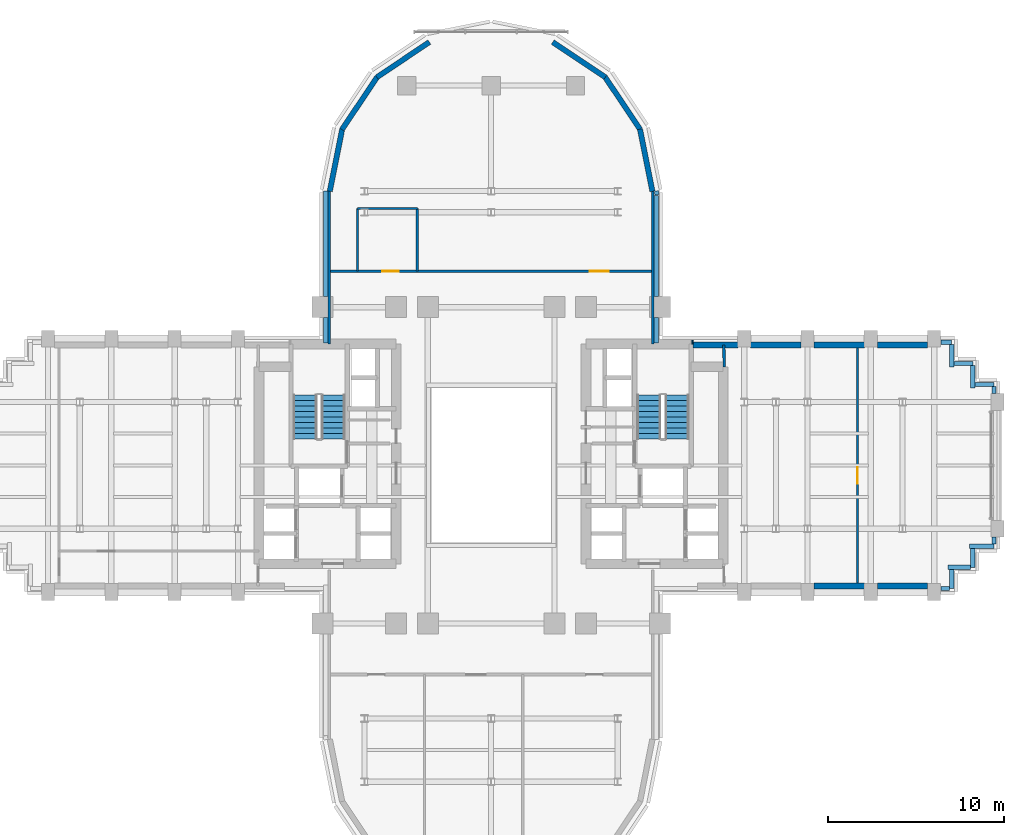
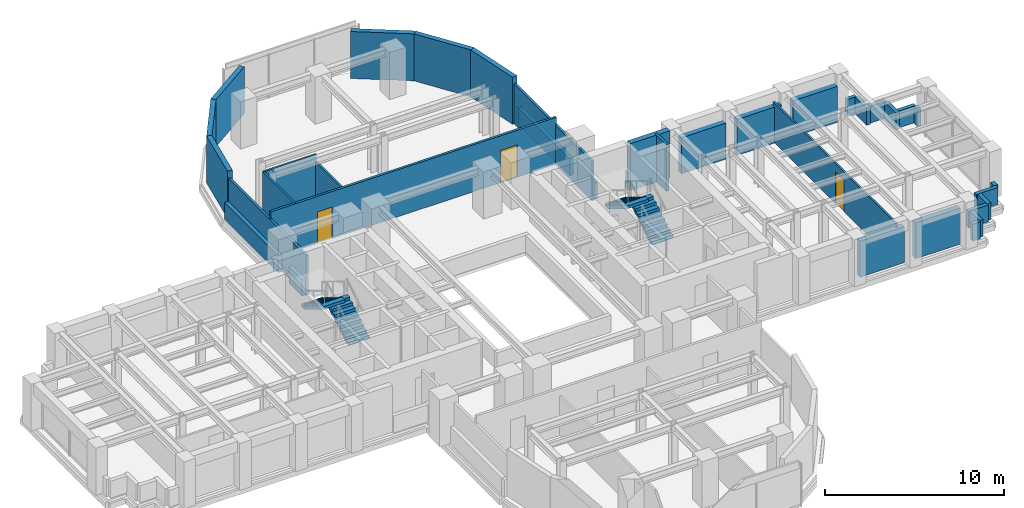
# One storey, part 12 of 16: 38 walls, 4 stair flights, 3 doors, 3 openings, 2 elements without a shape of their own.
"""IFC4 building model written with IfcOpenShell, lengths in metres."""

from ifc_helpers import new_model, si_unit, direction, frame, frame_2d, origin, place, context, subcontext, project, spatial, polyline, rectangle, outline, extrude, source, transform, mapped, material, layer, layer_set, type_object, element, fill, aggregate, save


model = new_model("IFC4")

# Units and contexts
model_context = context("Model", 3, precision=1e-05, world=origin(), true_north=direction((0.0, 1.0)))
body_context = subcontext(model_context, "Body", "Model", "MODEL_VIEW")
ifc_project = project(units=[si_unit("LENGTHUNIT", "METRE"), si_unit("AREAUNIT", "SQUARE_METRE"), si_unit("VOLUMEUNIT", "CUBIC_METRE"), si_unit("PLANEANGLEUNIT", "RADIAN"), si_unit("MASSUNIT", "GRAM", prefix="KILO")], contexts=[model_context])

# Site, building, storey
site_placement = place(None, origin())
site = spatial("IfcSite", under=ifc_project, at=site_placement, CompositionType="ELEMENT")
building_placement = place(site_placement, origin())
building = spatial("IfcBuilding", under=site, at=building_placement, Name="Keilestroom Media Tower", CompositionType="ELEMENT")
storey_placement = place(building_placement, frame((0.0, 0.0, 54.39990234375)))
storey = spatial("IfcBuildingStorey", under=building, at=storey_placement, Name="L13", CompositionType="ELEMENT", Elevation=54.39990234375)

# Walls
ifc_material_1 = material(Name="Precast concrete C40/50", Category="concrete")
ifc_layer_1 = layer(ifc_material_1, 0.300048828125)
ifc_layer_set_1 = layer_set([ifc_layer_1], Name="Precast concrete C40/50")
wall_type_1 = type_object("IfcWallType", Name="Exterior-Masonry-Spandrel-Wall-300", PredefinedType="SOLIDWALL", material=ifc_layer_set_1)
for number, where, z_axis, x_axis, name in (
    (1, (9.1748046875, 15.585205078125, 0.0), (0.0, 0.0, 1.0), (-0.195114232679, 0.980780523974, 0.0), "L13 Lobe Facet Precast Frame Wall 01"),
    (2, (8.48193359375, 19.097412109375, 0.0), (0.0, 0.0, 1.0), (-0.555574187116, 0.831466970246, 0.0), "L13 Lobe Facet Precast Frame Wall 02"),
):
    element("IfcWall", number, at=place(storey_placement, frame(where, z_axis=z_axis, x_axis=x_axis)), inside=storey, type_object=wall_type_1, Name=name, PredefinedType="SOLIDWALL", context=body_context, shape_type="SweptSolid", body=[
        extrude(rectangle(XDim=3.608642578125, YDim=0.300048828125, at=frame_2d((1.80419921875, 0.0))), origin(), (0.0, 0.0, 1.0), 3.2001953125),
    ])
for number, where, z_axis, x_axis, name in (
    (3, (6.497802734375, 22.0771484375, 0.0), (0.0, 0.0, 1.0), (-0.8314749531, 0.555562239868, 0.0), "L13 Lobe Facet Precast Frame Wall 03"),
    (4, (-3.510009765625, 24.073486328125, 0.0), (0.0, 0.0, 1.0), (-0.8314749531, -0.555562239868, 0.0), "L13 Lobe Facet Precast Frame Wall 04"),
):
    element("IfcWall", number, at=place(storey_placement, frame(where, z_axis=z_axis, x_axis=x_axis)), inside=storey, type_object=wall_type_1, Name=name, PredefinedType="SOLIDWALL", context=body_context, shape_type="SweptSolid", body=[
        extrude(rectangle(XDim=3.59326171875, YDim=0.300048828125, at=frame_2d((1.796630859375, 0.0))), origin(), (0.0, 0.0, 1.0), 3.2001953125),
    ])
for number, where, z_axis, x_axis, name in (
    (5, (-6.47705078125, 22.097900390625, 0.0), (0.0, 0.0, 1.0), (-0.555574187116, -0.831466970246, 0.0), "L13 Lobe Facet Precast Frame Wall 05"),
    (6, (-8.470703125, 19.12451171875, 0.0), (0.0, 0.0, 1.0), (-0.195114232679, -0.980780523974, 0.0), "L13 Lobe Facet Precast Frame Wall 06"),
):
    element("IfcWall", number, at=place(storey_placement, frame(where, z_axis=z_axis, x_axis=x_axis)), inside=storey, type_object=wall_type_1, Name=name, PredefinedType="SOLIDWALL", context=body_context, shape_type="SweptSolid", body=[
        extrude(rectangle(XDim=3.608642578125, YDim=0.300048828125, at=frame_2d((1.80419921875, 0.0))), origin(), (0.0, 0.0, 1.0), 3.2001953125),
    ])
ifc_layer_2 = layer(ifc_material_1, 0.340087890625)
ifc_layer_set_2 = layer_set([ifc_layer_2], Name="Precast concrete C40/50")
wall_type_2 = type_object("IfcWallType", Name="Exterior-Masonry-Spandrel-Wall-340", PredefinedType="SOLIDWALL", material=ifc_layer_set_2)
wall_1_placement = place(storey_placement, frame((11.498046875, 6.85009765625, 0.0), z_axis=(0.0, 0.0, 1.0), x_axis=(1.0, 0.0, 0.0)))
element("IfcWall", 7, at=wall_1_placement, inside=storey, type_object=wall_type_2, Name="L13 Flank Masonry Wall EWL-L13-NE-1", PredefinedType="SOLIDWALL", context=body_context, shape_type="SweptSolid", body=[
    extrude(rectangle(XDim=2.534912109375, YDim=0.340087890625, at=frame_2d((1.267578125, 0.0))), origin(), (0.0, 0.0, 1.0), 3.2001953125),
])
for number, where, z_axis, x_axis, name in (
    (8, (14.76708984375, 6.85009765625, 0.0), (0.0, 0.0, 1.0), (1.0, 0.0, 0.0), "L13 Flank Masonry Wall EWL-L13-NE-2"),
    (9, (18.366943359375, 6.85009765625, 0.0), (0.0, 0.0, 1.0), (1.0, 0.0, 0.0), "L13 Flank Masonry Wall EWL-L13-NE-3"),
    (10, (21.967041015625, 6.85009765625, 0.0), (0.0, 0.0, 1.0), (1.0, 0.0, 0.0), "L13 Flank Masonry Wall EWL-L13-NE-4"),
    (11, (18.366943359375, -6.85009765625, 0.0), (0.0, 0.0, 1.0), (1.0, 0.0, 0.0), "L13 Flank Masonry Wall EWL-L13-SE-3"),
    (12, (21.967041015625, -6.85009765625, 0.0), (0.0, 0.0, 1.0), (1.0, 0.0, 0.0), "L13 Flank Masonry Wall EWL-L13-SE-4"),
):
    element("IfcWall", number, at=place(storey_placement, frame(where, z_axis=z_axis, x_axis=x_axis)), inside=storey, type_object=wall_type_2, Name=name, PredefinedType="SOLIDWALL", context=body_context, shape_type="SweptSolid", body=[
        extrude(rectangle(XDim=2.865966796875, YDim=0.340087890625, at=frame_2d((1.43310546875, 0.0))), origin(), (0.0, 0.0, 1.0), 2.4501953125),
    ])
ifc_material_2 = material(Name="Gypsum Plasterboard & Steel Stud", Category="steel")
ifc_layer_3 = layer(ifc_material_2, 0.1201171875)
ifc_layer_set_3 = layer_set([ifc_layer_3], Name="Gypsum Plasterboard & Steel Stud")
wall_type_3 = type_object("IfcWallType", Name="Interior-Partition-Wall-120", PredefinedType="PARTITIONING", material=ifc_layer_set_3)
wall_2_placement = place(storey_placement, frame((-7.60009765625, 14.60009765625, 0.0), z_axis=(0.0, 0.0, 1.0), x_axis=(1.0, 0.0, 0.0)))
element("IfcWall", 13, at=wall_2_placement, inside=storey, type_object=wall_type_3, Name="L13 Interior Wall WP-L13-NL-WC-N", PredefinedType="PARTITIONING", context=body_context, shape_type="SweptSolid", body=[
    extrude(rectangle(XDim=3.400146484375, YDim=0.1201171875, at=frame_2d((1.7001953125, 0.0))), origin(), (0.0, 0.0, 1.0), 3.2001953125),
])
wall_3_placement = place(storey_placement, frame((-7.60009765625, 11.050048828125, 0.0), z_axis=(0.0, 0.0, 1.0), x_axis=(0.0, 1.0, 0.0)))
element("IfcWall", 14, at=wall_3_placement, inside=storey, type_object=wall_type_3, Name="L13 Interior Wall WP-L13-NL-WC-W", PredefinedType="PARTITIONING", context=body_context, shape_type="SweptSolid", body=[
    extrude(rectangle(XDim=3.550048828125, YDim=0.1201171875, at=frame_2d((1.77490234375, 0.0))), origin(), (0.0, 0.0, 1.0), 3.2001953125),
])
wall_4_placement = place(storey_placement, frame((-4.199951171875, 11.050048828125, 0.0), z_axis=(0.0, 0.0, 1.0), x_axis=(0.0, 1.0, 0.0)))
element("IfcWall", 15, at=wall_4_placement, inside=storey, type_object=wall_type_3, Name="L13 Interior Wall WP-L13-NL-WC-E", PredefinedType="PARTITIONING", context=body_context, shape_type="SweptSolid", body=[
    extrude(rectangle(XDim=3.550048828125, YDim=0.1201171875, at=frame_2d((1.77490234375, 0.0))), origin(), (0.0, 0.0, 1.0), 2.710205078125),
])

# Wall, opening, door
wall_5_placement = place(storey_placement, frame((20.840087890625, -6.85009765625, 0.0), z_axis=(0.0, 0.0, 1.0), x_axis=(0.0, 1.0, 0.0)))
wall_5 = element("IfcWall", 16, at=wall_5_placement, inside=storey, type_object=wall_type_3, Name="L13 Interior Wall WP-L13-EA-V", PredefinedType="PARTITIONING", context=body_context, shape_type="SweptSolid", body=[
    extrude(rectangle(XDim=13.7001953125, YDim=0.1201171875, at=frame_2d((6.85009765625, 0.0))), origin(), (0.0, 0.0, 1.0), 2.710205078125),
])
opening_1_placement = place(wall_5_placement, frame((5.800048828125, 0.0, 0.0)))
opening_1 = element("IfcOpeningElement", 17, at=opening_1_placement, cuts=wall_5, Name="Opening DI-03", PredefinedType="OPENING", context=body_context, shape_type="SweptSolid", body=[
    extrude(rectangle(XDim=0.949951171875, YDim=2.14990234375, at=frame_2d((0.47509765625, 1.074951171875))), frame((0.0, 0.070068359375, 0.0), z_axis=(0.0, -1.0, 0.0), x_axis=(1.0, 0.0, 0.0)), (0.0, 0.0, 1.0), 0.14013671875),
])
ifc_material_3 = material(Name="Lacquered European Oak Leaf", Category="wood")
door_type_1 = type_object("IfcDoorType", Name="Interior-Room-And-Suite-Door-DI-03", OperationType="NOTDEFINED", PredefinedType="DOOR", material=ifc_material_3)
shared_shape_1 = source(origin(), body_context, "Body", "SweptSolid", [
    extrude(rectangle(XDim=0.949951171875, YDim=2.14990234375, at=frame_2d((0.47509765625, 1.074951171875))), frame((0.0, 0.02490234375, 0.0), z_axis=(0.0, -1.0, 0.0), x_axis=(1.0, 0.0, 0.0)), (0.0, 0.0, 1.0), 0.050048828125),
])
door_1_placement = place(opening_1_placement, origin())
door_1 = element("IfcDoor", 18, at=door_1_placement, inside=storey, type_object=door_type_1, Name="L13 Interior Door DI-L13-DEA-E", OperationType="SINGLE_SWING_RIGHT", OverallHeight=2.14990234375, OverallWidth=0.949951171875, PredefinedType="DOOR", context=body_context, shape_type="MappedRepresentation", body=[
    mapped(shared_shape_1, transform((0.0, 0.0, 0.0), x_axis=(1.0, 0.0, 0.0), y_axis=(0.0, 1.0, 0.0), z_axis=(0.0, 0.0, 1.0), scale=1.0)),
])
fill(opening_1, door_1)

# Wall, openings, doors
ifc_layer_4 = layer(ifc_material_2, 0.14990234375)
ifc_layer_set_4 = layer_set([ifc_layer_4], Name="Gypsum Plasterboard & Steel Stud")
wall_type_4 = type_object("IfcWallType", Name="Interior-Partition-Wall-150", PredefinedType="PARTITIONING", material=ifc_layer_set_4)
wall_6_placement = place(storey_placement, frame((-9.199951171875, 11.050048828125, 0.0), z_axis=(0.0, 0.0, 1.0), x_axis=(1.0, 0.0, 0.0)))
wall_6 = element("IfcWall", 19, at=wall_6_placement, inside=storey, type_object=wall_type_4, Name="L13 Interior Wall WP-L13-NL-BASE", PredefinedType="PARTITIONING", context=body_context, shape_type="SweptSolid", body=[
    extrude(rectangle(XDim=18.39990234375, YDim=0.14990234375, at=frame_2d((9.199951171875, 0.0))), origin(), (0.0, 0.0, 1.0), 3.2001953125),
])
opening_2_placement = place(wall_6_placement, frame((3.0, 0.0, 0.0)))
opening_2 = element("IfcOpeningElement", 20, at=opening_2_placement, cuts=wall_6, Name="Opening DI-03", PredefinedType="OPENING", context=body_context, shape_type="SweptSolid", body=[
    extrude(rectangle(XDim=0.949951171875, YDim=2.14990234375, at=frame_2d((0.47509765625, 1.074951171875))), frame((0.0, 0.0849609375, 0.0), z_axis=(0.0, -1.0, 0.0), x_axis=(1.0, 0.0, 0.0)), (0.0, 0.0, 1.0), 0.169921875),
])
opening_3_placement = place(wall_6_placement, frame((14.800048828125, 0.0, 0.0)))
opening_3 = element("IfcOpeningElement", 21, at=opening_3_placement, cuts=wall_6, Name="Opening DI-04", PredefinedType="OPENING", context=body_context, shape_type="SweptSolid", body=[
    extrude(rectangle(XDim=1.10009765625, YDim=2.199951171875, at=frame_2d((0.550048828125, 1.10009765625))), frame((0.0, 0.0849609375, 0.0), z_axis=(0.0, -1.0, 0.0), x_axis=(1.0, 0.0, 0.0)), (0.0, 0.0, 1.0), 0.169921875),
])
door_2_placement = place(opening_2_placement, origin())
door_2 = element("IfcDoor", 22, at=door_2_placement, inside=storey, type_object=door_type_1, Name="L13 Interior Door DI-L13-DNL-WC", OperationType="SINGLE_SWING_LEFT", OverallHeight=2.14990234375, OverallWidth=0.949951171875, PredefinedType="DOOR", context=body_context, shape_type="MappedRepresentation", body=[
    mapped(shared_shape_1, transform((0.0, 0.0, 0.0), x_axis=(1.0, 0.0, 0.0), y_axis=(0.0, 1.0, 0.0), z_axis=(0.0, 0.0, 1.0), scale=1.0)),
])
fill(opening_2, door_2)
ifc_material_4 = material(Name="Acoustic Glazed Aluminium Leaf", Category="aluminium")
door_type_2 = type_object("IfcDoorType", Name="Interior-Room-And-Suite-Door-DI-04", OperationType="NOTDEFINED", PredefinedType="DOOR", material=ifc_material_4)
shared_shape_2 = source(origin(), body_context, "Body", "SweptSolid", [
    extrude(rectangle(XDim=1.10009765625, YDim=2.199951171875, at=frame_2d((0.550048828125, 1.10009765625))), frame((0.0, 0.02490234375, 0.0), z_axis=(0.0, -1.0, 0.0), x_axis=(1.0, 0.0, 0.0)), (0.0, 0.0, 1.0), 0.050048828125),
])
door_3_placement = place(opening_3_placement, origin())
door_3 = element("IfcDoor", 23, at=door_3_placement, inside=storey, type_object=door_type_2, Name="L13 Interior Door DI-L13-DNL-HALL", OperationType="SINGLE_SWING_RIGHT", OverallHeight=2.199951171875, OverallWidth=1.10009765625, PredefinedType="DOOR", context=body_context, shape_type="MappedRepresentation", body=[
    mapped(shared_shape_2, transform((0.0, 0.0, 0.0), x_axis=(1.0, 0.0, 0.0), y_axis=(0.0, 1.0, 0.0), z_axis=(0.0, 0.0, 1.0), scale=1.0)),
])
fill(opening_3, door_3)

# Walls
for number, where, z_axis, x_axis, name in (
    (24, (-9.199951171875, 6.89990234375, 0.0), (0.0, 0.0, 1.0), (0.0, 1.0, 0.0), "L13 Interior Wall WP-L13-NL-CHKW"),
    (25, (9.199951171875, 6.89990234375, 0.0), (0.0, 0.0, 1.0), (0.0, 1.0, 0.0), "L13 Interior Wall WP-L13-NL-CHKE"),
):
    element("IfcWall", number, at=place(storey_placement, frame(where, z_axis=z_axis, x_axis=x_axis)), inside=storey, type_object=wall_type_4, Name=name, PredefinedType="PARTITIONING", context=body_context, shape_type="SweptSolid", body=[
        extrude(rectangle(XDim=8.780029296875, YDim=0.14990234375, at=frame_2d((4.39013671875, 0.0))), origin(), (0.0, 0.0, 1.0), 2.710205078125),
    ])
wall_7_placement = place(storey_placement, frame((13.260009765625, 5.60009765625, 0.0), z_axis=(0.0, 0.0, 1.0), x_axis=(-0.016013571389, 0.999871774545, 0.0)))
element("IfcWall", 26, at=wall_7_placement, inside=storey, type_object=wall_type_4, Name="L13 Interior Wall WP-L13-EA-ENTN", PredefinedType="PARTITIONING", context=body_context, shape_type="SweptSolid", body=[
    extrude(rectangle(XDim=1.250244140625, YDim=0.14990234375, at=frame_2d((0.625, 0.0))), origin(), (0.0, 0.0, 1.0), 3.2001953125),
])
ifc_layer_5 = layer(ifc_material_1, 0.239990234375)
ifc_layer_set_5 = layer_set([ifc_layer_5], Name="Precast concrete C40/50")
wall_type_5 = type_object("IfcWallType", Name="Roof-And-Terrace-Parapet-Wall-240", PredefinedType="PARAPET", material=ifc_layer_set_5)
wall_8_placement = place(storey_placement, frame((28.60009765625, -4.60009765625, 0.0), z_axis=(0.0, 0.0, 1.0), x_axis=(-1.0, 0.0, 0.0)))
element("IfcWall", 27, at=wall_8_placement, inside=storey, type_object=wall_type_5, Name="L13 Perimeter Edge Parapet Wall 01", PredefinedType="PARAPET", context=body_context, shape_type="SweptSolid", body=[
    extrude(rectangle(XDim=1.400146484375, YDim=0.239990234375, at=frame_2d((0.7001953125, 0.0))), origin(), (0.0, 0.0, 1.0), 1.150146484375),
])
wall_9_placement = place(storey_placement, frame((27.39990234375, -4.722900390625, 0.0), z_axis=(0.0, 0.0, 1.0), x_axis=(0.0, -1.0, 0.0)))
element("IfcWall", 28, at=wall_9_placement, inside=storey, type_object=wall_type_5, Name="L13 Perimeter Edge Parapet Wall 02", PredefinedType="PARAPET", context=body_context, shape_type="SweptSolid", body=[
    extrude(rectangle(XDim=1.0771484375, YDim=0.239990234375, at=frame_2d((0.53857421875, 0.0))), origin(), (0.0, 0.0, 1.0), 1.150146484375),
])
wall_10_placement = place(storey_placement, frame((27.277099609375, -5.800048828125, 0.0), z_axis=(0.0, 0.0, 1.0), x_axis=(-1.0, 0.0, 0.0)))
element("IfcWall", 29, at=wall_10_placement, inside=storey, type_object=wall_type_5, Name="L13 Perimeter Edge Parapet Wall 03", PredefinedType="PARAPET", context=body_context, shape_type="SweptSolid", body=[
    extrude(rectangle(XDim=1.277099609375, YDim=0.239990234375, at=frame_2d((0.638671875, 0.0))), origin(), (0.0, 0.0, 1.0), 1.150146484375),
])
wall_11_placement = place(storey_placement, frame((26.199951171875, -5.923095703125, 0.0), z_axis=(0.0, 0.0, 1.0), x_axis=(0.0, -1.0, 0.0)))
element("IfcWall", 30, at=wall_11_placement, inside=storey, type_object=wall_type_5, Name="L13 Perimeter Edge Parapet Wall 04", PredefinedType="PARAPET", context=body_context, shape_type="SweptSolid", body=[
    extrude(rectangle(XDim=1.076904296875, YDim=0.239990234375, at=frame_2d((0.53857421875, 0.0))), origin(), (0.0, 0.0, 1.0), 1.150146484375),
])
wall_12_placement = place(storey_placement, frame((26.076904296875, -7.0, 0.0), z_axis=(0.0, 0.0, 1.0), x_axis=(-1.0, 0.0, 0.0)))
element("IfcWall", 31, at=wall_12_placement, inside=storey, type_object=wall_type_5, Name="L13 Perimeter Edge Parapet Wall 05", PredefinedType="PARAPET", context=body_context, shape_type="SweptSolid", body=[
    extrude(rectangle(XDim=0.4990234375, YDim=0.239990234375, at=frame_2d((0.24951171875, 0.0))), origin(), (0.0, 0.0, 1.0), 1.150146484375),
])
wall_13_placement = place(storey_placement, frame((-9.39990234375, 6.952880859375, 0.0), z_axis=(0.0, 0.0, 1.0), x_axis=(0.0, 1.0, 0.0)))
element("IfcWall", 32, at=wall_13_placement, inside=storey, type_object=wall_type_5, Name="L13 Perimeter Edge Parapet Wall 26", PredefinedType="PARAPET", context=body_context, shape_type="SweptSolid", body=[
    extrude(rectangle(XDim=1.444091796875, YDim=0.239990234375, at=frame_2d((0.72216796875, 0.0))), origin(), (0.0, 0.0, 1.0), 1.150146484375),
])
wall_14_placement = place(storey_placement, frame((-9.39990234375, 9.60302734375, 0.0), z_axis=(0.0, 0.0, 1.0), x_axis=(0.0, 1.0, 0.0)))
element("IfcWall", 33, at=wall_14_placement, inside=storey, type_object=wall_type_5, Name="L13 Perimeter Edge Parapet Wall 27", PredefinedType="PARAPET", context=body_context, shape_type="SweptSolid", body=[
    extrude(rectangle(XDim=5.999755859375, YDim=0.239990234375, at=frame_2d((3.0, 0.0))), origin(), (0.0, 0.0, 1.0), 1.150146484375),
])
wall_15_placement = place(storey_placement, frame((9.395263671875, 15.604248046875, 0.0), z_axis=(0.0, 0.0, 1.0), x_axis=(0.194652052864, -0.980872355771, 0.0)))
element("IfcWall", 34, at=wall_15_placement, inside=storey, type_object=wall_type_5, Name="L13 Perimeter Edge Parapet Wall 28", PredefinedType="PARAPET", context=body_context, shape_type="SweptSolid", body=[
    extrude(rectangle(XDim=0.224609375, YDim=0.239990234375, at=frame_2d((0.1123046875, 0.0))), origin(), (0.0, 0.0, 1.0), 1.150146484375),
])
wall_16_placement = place(storey_placement, frame((9.39990234375, 15.357666015625, 0.0), z_axis=(0.0, 0.0, 1.0), x_axis=(0.0, -1.0, 0.0)))
element("IfcWall", 35, at=wall_16_placement, inside=storey, type_object=wall_type_5, Name="L13 Perimeter Edge Parapet Wall 29", PredefinedType="PARAPET", context=body_context, shape_type="SweptSolid", body=[
    extrude(rectangle(XDim=5.754638671875, YDim=0.239990234375, at=frame_2d((2.87744140625, 0.0))), origin(), (0.0, 0.0, 1.0), 1.150146484375),
])
wall_17_placement = place(storey_placement, frame((9.39990234375, 8.39697265625, 0.0), z_axis=(0.0, 0.0, 1.0), x_axis=(0.0, -1.0, 0.0)))
element("IfcWall", 36, at=wall_17_placement, inside=storey, type_object=wall_type_5, Name="L13 Perimeter Edge Parapet Wall 30", PredefinedType="PARAPET", context=body_context, shape_type="SweptSolid", body=[
    extrude(rectangle(XDim=1.444091796875, YDim=0.239990234375, at=frame_2d((0.72216796875, 0.0))), origin(), (0.0, 0.0, 1.0), 1.150146484375),
])
wall_18_placement = place(storey_placement, frame((11.403076171875, 7.0, 0.0), z_axis=(0.0, 0.0, 1.0), x_axis=(1.0, 0.0, 0.0)))
element("IfcWall", 37, at=wall_18_placement, inside=storey, type_object=wall_type_5, Name="L13 Perimeter Edge Parapet Wall 31", PredefinedType="PARAPET", context=body_context, shape_type="SweptSolid", body=[
    extrude(rectangle(XDim=0.092041015625, YDim=0.239990234375, at=frame_2d((0.0458984375, 0.0))), origin(), (0.0, 0.0, 1.0), 1.150146484375),
])
wall_19_placement = place(storey_placement, frame((25.577880859375, 7.0, 0.0), z_axis=(0.0, 0.0, 1.0), x_axis=(1.0, 0.0, 0.0)))
element("IfcWall", 38, at=wall_19_placement, inside=storey, type_object=wall_type_5, Name="L13 Perimeter Edge Parapet Wall 32", PredefinedType="PARAPET", context=body_context, shape_type="SweptSolid", body=[
    extrude(rectangle(XDim=0.6220703125, YDim=0.239990234375, at=frame_2d((0.31103515625, 0.0))), origin(), (0.0, 0.0, 1.0), 1.150146484375),
])
wall_20_placement = place(storey_placement, frame((26.199951171875, 6.876953125, 0.0), z_axis=(0.0, 0.0, 1.0), x_axis=(0.0, -1.0, 0.0)))
element("IfcWall", 39, at=wall_20_placement, inside=storey, type_object=wall_type_5, Name="L13 Perimeter Edge Parapet Wall 33", PredefinedType="PARAPET", context=body_context, shape_type="SweptSolid", body=[
    extrude(rectangle(XDim=1.27685546875, YDim=0.239990234375, at=frame_2d((0.638427734375, 0.0))), origin(), (0.0, 0.0, 1.0), 1.150146484375),
])
wall_21_placement = place(storey_placement, frame((26.322998046875, 5.800048828125, 0.0), z_axis=(0.0, 0.0, 1.0), x_axis=(1.0, 0.0, 0.0)))
element("IfcWall", 40, at=wall_21_placement, inside=storey, type_object=wall_type_5, Name="L13 Perimeter Edge Parapet Wall 34", PredefinedType="PARAPET", context=body_context, shape_type="SweptSolid", body=[
    extrude(rectangle(XDim=1.076904296875, YDim=0.239990234375, at=frame_2d((0.53857421875, 0.0))), origin(), (0.0, 0.0, 1.0), 1.150146484375),
])
wall_22_placement = place(storey_placement, frame((27.39990234375, 5.677001953125, 0.0), z_axis=(0.0, 0.0, 1.0), x_axis=(0.0, -1.0, 0.0)))
element("IfcWall", 41, at=wall_22_placement, inside=storey, type_object=wall_type_5, Name="L13 Perimeter Edge Parapet Wall 35", PredefinedType="PARAPET", context=body_context, shape_type="SweptSolid", body=[
    extrude(rectangle(XDim=1.277099609375, YDim=0.239990234375, at=frame_2d((0.638671875, 0.0))), origin(), (0.0, 0.0, 1.0), 1.150146484375),
])
wall_23_placement = place(storey_placement, frame((27.52294921875, 4.60009765625, 0.0), z_axis=(0.0, 0.0, 1.0), x_axis=(1.0, 0.0, 0.0)))
element("IfcWall", 42, at=wall_23_placement, inside=storey, type_object=wall_type_5, Name="L13 Perimeter Edge Parapet Wall 36", PredefinedType="PARAPET", context=body_context, shape_type="SweptSolid", body=[
    extrude(rectangle(XDim=1.0771484375, YDim=0.239990234375, at=frame_2d((0.53857421875, 0.0))), origin(), (0.0, 0.0, 1.0), 1.150146484375),
])
for number, where, z_axis, x_axis, name in (
    (43, (28.60009765625, 4.47705078125, 0.0), (0.0, 0.0, 1.0), (0.0, -1.0, 0.0), "L13 Perimeter Edge Parapet Wall 37"),
    (44, (28.60009765625, -4.077880859375, 0.0), (0.0, 0.0, 1.0), (0.0, -1.0, 0.0), "L13 Perimeter Edge Parapet Wall 38"),
):
    element("IfcWall", number, at=place(storey_placement, frame(where, z_axis=z_axis, x_axis=x_axis)), inside=storey, type_object=wall_type_5, Name=name, PredefinedType="PARAPET", context=body_context, shape_type="SweptSolid", body=[
        extrude(rectangle(XDim=0.399169921875, YDim=0.239990234375, at=frame_2d((0.19970703125, 0.0))), origin(), (0.0, 0.0, 1.0), 1.150146484375),
    ])

# Stair, stair flights
ifc_material_5 = material(Name="Concrete C45/55", Category="concrete")
stair_type = type_object("IfcStairType", Name="Enclosed-Dog-Leg-Stair-ST-CORE", PredefinedType="HALF_TURN_STAIR", material=ifc_material_5)
stair_1_placement = place(storey_placement, origin())
stair_1 = element("IfcStair", 45, at=stair_1_placement, inside=storey, type_object=stair_type, Name="L13 West Core Escape Stair ST-1", PredefinedType="HALF_TURN_STAIR")
stair_flight_type = type_object("IfcStairFlightType", Name="Precast-Concrete-Stair-Flight-Core-160", PredefinedType="STRAIGHT", material=ifc_material_1)
stair_flight_1_placement = place(storey_placement, frame((-8.97998046875, 1.5, 0.0), z_axis=(0.0, 0.0, 1.0), x_axis=(0.0, 1.0, 0.0)))
stair_flight_1 = element("IfcStairFlight", 46, at=stair_flight_1_placement, type_object=stair_flight_type, Name="ST-1 flight 1", NumberOfRisers=9, NumberOfTreads=8, PredefinedType="STRAIGHT", RiserHeight=0.188888889, TreadLength=0.312, context=body_context, shape_type="SweptSolid", body=[
    extrude(outline(polyline([(0.0, 0.0), (0.0, 0.18896484375), (0.31201171875, 0.18896484375), (0.31201171875, 0.377685546875), (0.6240234375, 0.377685546875), (0.6240234375, 0.566650390625), (0.93603515625, 0.566650390625), (0.93603515625, 0.755615234375), (1.248046875, 0.755615234375), (1.248046875, 0.9443359375), (1.56005859375, 0.9443359375), (1.56005859375, 1.13330078125), (1.8720703125, 1.13330078125), (1.8720703125, 1.322265625), (2.18408203125, 1.322265625), (2.18408203125, 1.51123046875), (2.49609375, 1.51123046875), (2.49609375, 1.699951171875), (2.49609375, 1.32421875), (0.308837890625, 0.0), (0.0, 0.0)])), frame((0.0, 0.68017578125, 0.0), z_axis=(0.0, -1.0, 0.0), x_axis=(1.0, 0.0, 0.0)), (0.0, 0.0, 1.0), 1.360107421875),
])
stair_flight_2_placement = place(storey_placement, frame((-10.580078125, 3.99609375, 1.7001953125), z_axis=(0.0, 0.0, 1.0), x_axis=(0.0, -1.0, 0.0)))
stair_flight_2 = element("IfcStairFlight", 47, at=stair_flight_2_placement, type_object=stair_flight_type, Name="ST-1 flight 2", NumberOfRisers=9, NumberOfTreads=8, PredefinedType="STRAIGHT", RiserHeight=0.188888889, TreadLength=0.312, context=body_context, shape_type="SweptSolid", body=[
    extrude(outline(polyline([(0.0, 0.0), (0.0, 0.18896484375), (0.31201171875, 0.18896484375), (0.31201171875, 0.377685546875), (0.6240234375, 0.377685546875), (0.6240234375, 0.566650390625), (0.93603515625, 0.566650390625), (0.93603515625, 0.755615234375), (1.248046875, 0.755615234375), (1.248046875, 0.9443359375), (1.56005859375, 0.9443359375), (1.56005859375, 1.13330078125), (1.8720703125, 1.13330078125), (1.8720703125, 1.322265625), (2.18408203125, 1.322265625), (2.18408203125, 1.51123046875), (2.49609375, 1.51123046875), (2.49609375, 1.699951171875), (2.49609375, 1.32421875), (0.308837890625, 0.0), (0.0, 0.0)])), frame((0.0, 0.68017578125, 0.0), z_axis=(0.0, -1.0, 0.0), x_axis=(1.0, 0.0, 0.0)), (0.0, 0.0, 1.0), 1.360107421875),
])
aggregate(stair_1, [stair_flight_1, stair_flight_2])

stair_2_placement = place(storey_placement, origin())
stair_2 = element("IfcStair", 48, at=stair_2_placement, inside=storey, type_object=stair_type, Name="L13 East Core Escape Stair ST-2", PredefinedType="HALF_TURN_STAIR")
stair_flight_3_placement = place(storey_placement, frame((10.580078125, 1.5, 0.0), z_axis=(0.0, 0.0, 1.0), x_axis=(0.0, 1.0, 0.0)))
stair_flight_3 = element("IfcStairFlight", 49, at=stair_flight_3_placement, type_object=stair_flight_type, Name="ST-2 flight 1", NumberOfRisers=9, NumberOfTreads=8, PredefinedType="STRAIGHT", RiserHeight=0.188888889, TreadLength=0.312, context=body_context, shape_type="SweptSolid", body=[
    extrude(outline(polyline([(0.0, 0.0), (0.0, 0.18896484375), (0.31201171875, 0.18896484375), (0.31201171875, 0.377685546875), (0.6240234375, 0.377685546875), (0.6240234375, 0.566650390625), (0.93603515625, 0.566650390625), (0.93603515625, 0.755615234375), (1.248046875, 0.755615234375), (1.248046875, 0.9443359375), (1.56005859375, 0.9443359375), (1.56005859375, 1.13330078125), (1.8720703125, 1.13330078125), (1.8720703125, 1.322265625), (2.18408203125, 1.322265625), (2.18408203125, 1.51123046875), (2.49609375, 1.51123046875), (2.49609375, 1.699951171875), (2.49609375, 1.32421875), (0.308837890625, 0.0), (0.0, 0.0)])), frame((0.0, 0.68017578125, 0.0), z_axis=(0.0, -1.0, 0.0), x_axis=(1.0, 0.0, 0.0)), (0.0, 0.0, 1.0), 1.360107421875),
])
stair_flight_4_placement = place(storey_placement, frame((8.97998046875, 3.99609375, 1.7001953125), z_axis=(0.0, 0.0, 1.0), x_axis=(0.0, -1.0, 0.0)))
stair_flight_4 = element("IfcStairFlight", 50, at=stair_flight_4_placement, type_object=stair_flight_type, Name="ST-2 flight 2", NumberOfRisers=9, NumberOfTreads=8, PredefinedType="STRAIGHT", RiserHeight=0.188888889, TreadLength=0.312, context=body_context, shape_type="SweptSolid", body=[
    extrude(outline(polyline([(0.0, 0.0), (0.0, 0.18896484375), (0.31201171875, 0.18896484375), (0.31201171875, 0.377685546875), (0.6240234375, 0.377685546875), (0.6240234375, 0.566650390625), (0.93603515625, 0.566650390625), (0.93603515625, 0.755615234375), (1.248046875, 0.755615234375), (1.248046875, 0.9443359375), (1.56005859375, 0.9443359375), (1.56005859375, 1.13330078125), (1.8720703125, 1.13330078125), (1.8720703125, 1.322265625), (2.18408203125, 1.322265625), (2.18408203125, 1.51123046875), (2.49609375, 1.51123046875), (2.49609375, 1.699951171875), (2.49609375, 1.32421875), (0.308837890625, 0.0), (0.0, 0.0)])), frame((0.0, 0.68017578125, 0.0), z_axis=(0.0, -1.0, 0.0), x_axis=(1.0, 0.0, 0.0)), (0.0, 0.0, 1.0), 1.360107421875),
])
aggregate(stair_2, [stair_flight_3, stair_flight_4])

save(model, "model.ifc")
